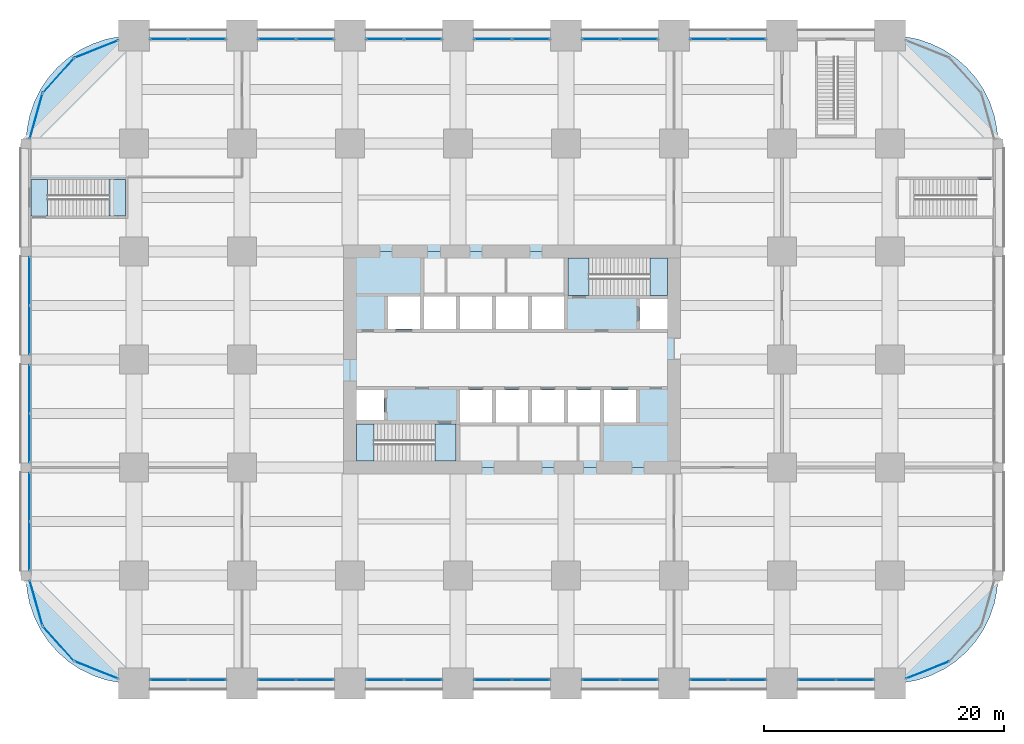
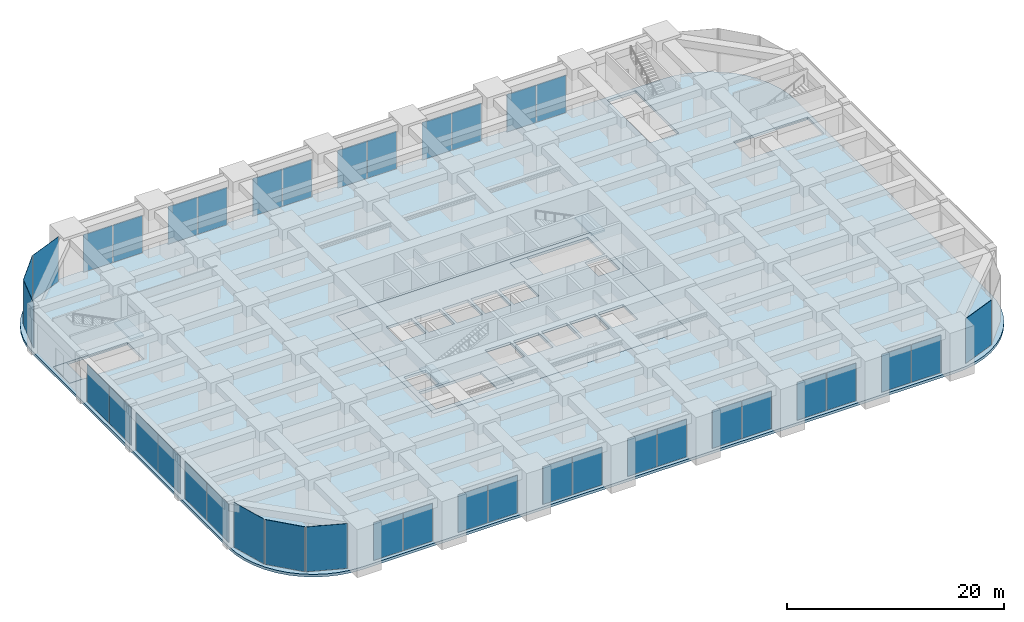
# One storey, part 40 of 45: 39 plates, 8 slabs, 26 elements without a shape of their own.
"""IFC4 building model written with IfcOpenShell, lengths in metres."""

from ifc_helpers import new_model, si_unit, direction, frame, origin, origin_2d, place, context, subcontext, project, spatial, polyline, rectangle, outline, extrude, material, layer, layer_set, type_object, element, aggregate, save


model = new_model("IFC4")

# Units and contexts
model_context = context("Model", 3, precision=1e-05, world=origin(), true_north=direction((0.0, 1.0)))
body_context = subcontext(model_context, "Body", "Model", "MODEL_VIEW")
ifc_project = project(units=[si_unit("LENGTHUNIT", "METRE"), si_unit("AREAUNIT", "SQUARE_METRE"), si_unit("VOLUMEUNIT", "CUBIC_METRE"), si_unit("PLANEANGLEUNIT", "RADIAN"), si_unit("MASSUNIT", "GRAM", prefix="KILO")], contexts=[model_context])

# Site, building, storey
site_placement = place(None, origin())
site = spatial("IfcSite", under=ifc_project, at=site_placement, CompositionType="ELEMENT")
building_placement = place(site_placement, origin())
building = spatial("IfcBuilding", under=site, at=building_placement, Name="Zorevar Civic Tower", CompositionType="ELEMENT")
storey_placement = place(building_placement, frame((0.0, 0.0, 5.39990234375)))
storey = spatial("IfcBuildingStorey", under=building, at=storey_placement, Name="L01", CompositionType="ELEMENT", Elevation=5.39990234375)

# Curtain wall, plates
ifc_material_1 = material(Name="Dark grey solar-control glass in black aluminium frame", Category="aluminium")
curtain_wall_type = type_object("IfcCurtainWallType", Name="Curtain wall CW1 podium", PredefinedType="NOTDEFINED", material=ifc_material_1)
curtain_wall_1_placement = place(storey_placement, origin())
curtain_wall_1 = element("IfcCurtainWall", 1, at=curtain_wall_1_placement, inside=storey, type_object=curtain_wall_type, Name="CW1 L01", PredefinedType="NOTDEFINED")
ifc_material_2 = material(Name="Dark grey solar-control glass", Category="glass")
ifc_layer_1 = layer(ifc_material_2, 0.033935546875)
ifc_layer_set_1 = layer_set([ifc_layer_1], Name="CW1 panel 34")
plate_type = type_object("IfcPlateType", Name="CW1 panel 34", PredefinedType="CURTAIN_PANEL", material=ifc_layer_set_1)
plate_1_placement = place(storey_placement, frame((2.9150390625, 0.300048828125, 0.06005859375), z_axis=(0.0, 0.0, 1.0), x_axis=(1.0, 0.0, 0.0)))
plate_1 = element("IfcPlate", 2, at=plate_1_placement, type_object=plate_type, Name="CW1 panel 1.1", PredefinedType="CURTAIN_PANEL", context=body_context, shape_type="SweptSolid", body=[
    extrude(rectangle(XDim=3.110107421875, YDim=0.033935546875, at=origin_2d()), origin(), (0.0, 0.0, 1.0), 4.239990234375),
])
plate_2_placement = place(storey_placement, frame((6.0849609375, 0.300048828125, 0.06005859375), z_axis=(0.0, 0.0, 1.0), x_axis=(1.0, 0.0, 0.0)))
plate_2 = element("IfcPlate", 3, at=plate_2_placement, type_object=plate_type, Name="CW1 panel 2.1", PredefinedType="CURTAIN_PANEL", context=body_context, shape_type="SweptSolid", body=[
    extrude(rectangle(XDim=3.110107421875, YDim=0.033935546875, at=origin_2d()), origin(), (0.0, 0.0, 1.0), 4.239990234375),
])
aggregate(curtain_wall_1, [plate_1, plate_2])

curtain_wall_2_placement = place(storey_placement, origin())
curtain_wall_2 = element("IfcCurtainWall", 4, at=curtain_wall_2_placement, inside=storey, type_object=curtain_wall_type, Name="CW1 L01", PredefinedType="NOTDEFINED")
plate_3_placement = place(storey_placement, frame((2.9150390625, 53.699951171875, 0.06005859375), z_axis=(0.0, 0.0, 1.0), x_axis=(1.0, 0.0, 0.0)))
plate_3 = element("IfcPlate", 5, at=plate_3_placement, type_object=plate_type, Name="CW1 panel 1.1", PredefinedType="CURTAIN_PANEL", context=body_context, shape_type="SweptSolid", body=[
    extrude(rectangle(XDim=3.110107421875, YDim=0.033935546875, at=origin_2d()), origin(), (0.0, 0.0, 1.0), 4.239990234375),
])
plate_4_placement = place(storey_placement, frame((6.0849609375, 53.699951171875, 0.06005859375), z_axis=(0.0, 0.0, 1.0), x_axis=(1.0, 0.0, 0.0)))
plate_4 = element("IfcPlate", 6, at=plate_4_placement, type_object=plate_type, Name="CW1 panel 2.1", PredefinedType="CURTAIN_PANEL", context=body_context, shape_type="SweptSolid", body=[
    extrude(rectangle(XDim=3.110107421875, YDim=0.033935546875, at=origin_2d()), origin(), (0.0, 0.0, 1.0), 4.239990234375),
])
aggregate(curtain_wall_2, [plate_3, plate_4])

curtain_wall_3_placement = place(storey_placement, origin())
curtain_wall_3 = element("IfcCurtainWall", 7, at=curtain_wall_3_placement, inside=storey, type_object=curtain_wall_type, Name="CW1 L01", PredefinedType="NOTDEFINED")
plate_5_placement = place(storey_placement, frame((11.9150390625, 0.300048828125, 0.06005859375), z_axis=(0.0, 0.0, 1.0), x_axis=(1.0, 0.0, 0.0)))
plate_5 = element("IfcPlate", 8, at=plate_5_placement, type_object=plate_type, Name="CW1 panel 1.1", PredefinedType="CURTAIN_PANEL", context=body_context, shape_type="SweptSolid", body=[
    extrude(rectangle(XDim=3.110107421875, YDim=0.033935546875, at=origin_2d()), origin(), (0.0, 0.0, 1.0), 4.239990234375),
])
plate_6_placement = place(storey_placement, frame((15.0849609375, 0.300048828125, 0.06005859375), z_axis=(0.0, 0.0, 1.0), x_axis=(1.0, 0.0, 0.0)))
plate_6 = element("IfcPlate", 9, at=plate_6_placement, type_object=plate_type, Name="CW1 panel 2.1", PredefinedType="CURTAIN_PANEL", context=body_context, shape_type="SweptSolid", body=[
    extrude(rectangle(XDim=3.110107421875, YDim=0.033935546875, at=origin_2d()), origin(), (0.0, 0.0, 1.0), 4.239990234375),
])
aggregate(curtain_wall_3, [plate_5, plate_6])

curtain_wall_4_placement = place(storey_placement, origin())
curtain_wall_4 = element("IfcCurtainWall", 10, at=curtain_wall_4_placement, inside=storey, type_object=curtain_wall_type, Name="CW1 L01", PredefinedType="NOTDEFINED")
plate_7_placement = place(storey_placement, frame((11.9150390625, 53.699951171875, 0.06005859375), z_axis=(0.0, 0.0, 1.0), x_axis=(1.0, 0.0, 0.0)))
plate_7 = element("IfcPlate", 11, at=plate_7_placement, type_object=plate_type, Name="CW1 panel 1.1", PredefinedType="CURTAIN_PANEL", context=body_context, shape_type="SweptSolid", body=[
    extrude(rectangle(XDim=3.110107421875, YDim=0.033935546875, at=origin_2d()), origin(), (0.0, 0.0, 1.0), 4.239990234375),
])
plate_8_placement = place(storey_placement, frame((15.0849609375, 53.699951171875, 0.06005859375), z_axis=(0.0, 0.0, 1.0), x_axis=(1.0, 0.0, 0.0)))
plate_8 = element("IfcPlate", 12, at=plate_8_placement, type_object=plate_type, Name="CW1 panel 2.1", PredefinedType="CURTAIN_PANEL", context=body_context, shape_type="SweptSolid", body=[
    extrude(rectangle(XDim=3.110107421875, YDim=0.033935546875, at=origin_2d()), origin(), (0.0, 0.0, 1.0), 4.239990234375),
])
aggregate(curtain_wall_4, [plate_7, plate_8])

curtain_wall_5_placement = place(storey_placement, origin())
curtain_wall_5 = element("IfcCurtainWall", 13, at=curtain_wall_5_placement, inside=storey, type_object=curtain_wall_type, Name="CW1 L01", PredefinedType="NOTDEFINED")
plate_9_placement = place(storey_placement, frame((20.9150390625, 0.300048828125, 0.06005859375), z_axis=(0.0, 0.0, 1.0), x_axis=(1.0, 0.0, 0.0)))
plate_9 = element("IfcPlate", 14, at=plate_9_placement, type_object=plate_type, Name="CW1 panel 1.1", PredefinedType="CURTAIN_PANEL", context=body_context, shape_type="SweptSolid", body=[
    extrude(rectangle(XDim=3.110107421875, YDim=0.033935546875, at=origin_2d()), origin(), (0.0, 0.0, 1.0), 4.239990234375),
])
plate_10_placement = place(storey_placement, frame((24.0849609375, 0.300048828125, 0.06005859375), z_axis=(0.0, 0.0, 1.0), x_axis=(1.0, 0.0, 0.0)))
plate_10 = element("IfcPlate", 15, at=plate_10_placement, type_object=plate_type, Name="CW1 panel 2.1", PredefinedType="CURTAIN_PANEL", context=body_context, shape_type="SweptSolid", body=[
    extrude(rectangle(XDim=3.110107421875, YDim=0.033935546875, at=origin_2d()), origin(), (0.0, 0.0, 1.0), 4.239990234375),
])
aggregate(curtain_wall_5, [plate_9, plate_10])

curtain_wall_6_placement = place(storey_placement, origin())
curtain_wall_6 = element("IfcCurtainWall", 16, at=curtain_wall_6_placement, inside=storey, type_object=curtain_wall_type, Name="CW1 L01", PredefinedType="NOTDEFINED")
plate_11_placement = place(storey_placement, frame((20.9150390625, 53.699951171875, 0.06005859375), z_axis=(0.0, 0.0, 1.0), x_axis=(1.0, 0.0, 0.0)))
plate_11 = element("IfcPlate", 17, at=plate_11_placement, type_object=plate_type, Name="CW1 panel 1.1", PredefinedType="CURTAIN_PANEL", context=body_context, shape_type="SweptSolid", body=[
    extrude(rectangle(XDim=3.110107421875, YDim=0.033935546875, at=origin_2d()), origin(), (0.0, 0.0, 1.0), 4.239990234375),
])
plate_12_placement = place(storey_placement, frame((24.0849609375, 53.699951171875, 0.06005859375), z_axis=(0.0, 0.0, 1.0), x_axis=(1.0, 0.0, 0.0)))
plate_12 = element("IfcPlate", 18, at=plate_12_placement, type_object=plate_type, Name="CW1 panel 2.1", PredefinedType="CURTAIN_PANEL", context=body_context, shape_type="SweptSolid", body=[
    extrude(rectangle(XDim=3.110107421875, YDim=0.033935546875, at=origin_2d()), origin(), (0.0, 0.0, 1.0), 4.239990234375),
])
aggregate(curtain_wall_6, [plate_11, plate_12])

curtain_wall_7_placement = place(storey_placement, origin())
curtain_wall_7 = element("IfcCurtainWall", 19, at=curtain_wall_7_placement, inside=storey, type_object=curtain_wall_type, Name="CW1 L01", PredefinedType="NOTDEFINED")
plate_13_placement = place(storey_placement, frame((29.9150390625, 0.300048828125, 0.06005859375), z_axis=(0.0, 0.0, 1.0), x_axis=(1.0, 0.0, 0.0)))
plate_13 = element("IfcPlate", 20, at=plate_13_placement, type_object=plate_type, Name="CW1 panel 1.1", PredefinedType="CURTAIN_PANEL", context=body_context, shape_type="SweptSolid", body=[
    extrude(rectangle(XDim=3.110107421875, YDim=0.033935546875, at=origin_2d()), origin(), (0.0, 0.0, 1.0), 4.239990234375),
])
plate_14_placement = place(storey_placement, frame((33.0849609375, 0.300048828125, 0.06005859375), z_axis=(0.0, 0.0, 1.0), x_axis=(1.0, 0.0, 0.0)))
plate_14 = element("IfcPlate", 21, at=plate_14_placement, type_object=plate_type, Name="CW1 panel 2.1", PredefinedType="CURTAIN_PANEL", context=body_context, shape_type="SweptSolid", body=[
    extrude(rectangle(XDim=3.110107421875, YDim=0.033935546875, at=origin_2d()), origin(), (0.0, 0.0, 1.0), 4.239990234375),
])
aggregate(curtain_wall_7, [plate_13, plate_14])

curtain_wall_8_placement = place(storey_placement, origin())
curtain_wall_8 = element("IfcCurtainWall", 22, at=curtain_wall_8_placement, inside=storey, type_object=curtain_wall_type, Name="CW1 L01", PredefinedType="NOTDEFINED")
plate_15_placement = place(storey_placement, frame((29.9150390625, 53.699951171875, 0.06005859375), z_axis=(0.0, 0.0, 1.0), x_axis=(1.0, 0.0, 0.0)))
plate_15 = element("IfcPlate", 23, at=plate_15_placement, type_object=plate_type, Name="CW1 panel 1.1", PredefinedType="CURTAIN_PANEL", context=body_context, shape_type="SweptSolid", body=[
    extrude(rectangle(XDim=3.110107421875, YDim=0.033935546875, at=origin_2d()), origin(), (0.0, 0.0, 1.0), 4.239990234375),
])
plate_16_placement = place(storey_placement, frame((33.0849609375, 53.699951171875, 0.06005859375), z_axis=(0.0, 0.0, 1.0), x_axis=(1.0, 0.0, 0.0)))
plate_16 = element("IfcPlate", 24, at=plate_16_placement, type_object=plate_type, Name="CW1 panel 2.1", PredefinedType="CURTAIN_PANEL", context=body_context, shape_type="SweptSolid", body=[
    extrude(rectangle(XDim=3.110107421875, YDim=0.033935546875, at=origin_2d()), origin(), (0.0, 0.0, 1.0), 4.239990234375),
])
aggregate(curtain_wall_8, [plate_15, plate_16])

curtain_wall_9_placement = place(storey_placement, origin())
curtain_wall_9 = element("IfcCurtainWall", 25, at=curtain_wall_9_placement, inside=storey, type_object=curtain_wall_type, Name="CW1 L01", PredefinedType="NOTDEFINED")
plate_17_placement = place(storey_placement, frame((38.9150390625, 0.300048828125, 0.06005859375), z_axis=(0.0, 0.0, 1.0), x_axis=(1.0, 0.0, 0.0)))
plate_17 = element("IfcPlate", 26, at=plate_17_placement, type_object=plate_type, Name="CW1 panel 1.1", PredefinedType="CURTAIN_PANEL", context=body_context, shape_type="SweptSolid", body=[
    extrude(rectangle(XDim=3.110107421875, YDim=0.033935546875, at=origin_2d()), origin(), (0.0, 0.0, 1.0), 4.239990234375),
])
plate_18_placement = place(storey_placement, frame((42.0849609375, 0.300048828125, 0.06005859375), z_axis=(0.0, 0.0, 1.0), x_axis=(1.0, 0.0, 0.0)))
plate_18 = element("IfcPlate", 27, at=plate_18_placement, type_object=plate_type, Name="CW1 panel 2.1", PredefinedType="CURTAIN_PANEL", context=body_context, shape_type="SweptSolid", body=[
    extrude(rectangle(XDim=3.110107421875, YDim=0.033935546875, at=origin_2d()), origin(), (0.0, 0.0, 1.0), 4.239990234375),
])
aggregate(curtain_wall_9, [plate_17, plate_18])

curtain_wall_10_placement = place(storey_placement, origin())
curtain_wall_10 = element("IfcCurtainWall", 28, at=curtain_wall_10_placement, inside=storey, type_object=curtain_wall_type, Name="CW1 L01", PredefinedType="NOTDEFINED")
plate_19_placement = place(storey_placement, frame((38.9150390625, 53.699951171875, 0.06005859375), z_axis=(0.0, 0.0, 1.0), x_axis=(1.0, 0.0, 0.0)))
plate_19 = element("IfcPlate", 29, at=plate_19_placement, type_object=plate_type, Name="CW1 panel 1.1", PredefinedType="CURTAIN_PANEL", context=body_context, shape_type="SweptSolid", body=[
    extrude(rectangle(XDim=3.110107421875, YDim=0.033935546875, at=origin_2d()), origin(), (0.0, 0.0, 1.0), 4.239990234375),
])
plate_20_placement = place(storey_placement, frame((42.0849609375, 53.699951171875, 0.06005859375), z_axis=(0.0, 0.0, 1.0), x_axis=(1.0, 0.0, 0.0)))
plate_20 = element("IfcPlate", 30, at=plate_20_placement, type_object=plate_type, Name="CW1 panel 2.1", PredefinedType="CURTAIN_PANEL", context=body_context, shape_type="SweptSolid", body=[
    extrude(rectangle(XDim=3.110107421875, YDim=0.033935546875, at=origin_2d()), origin(), (0.0, 0.0, 1.0), 4.239990234375),
])
aggregate(curtain_wall_10, [plate_19, plate_20])

curtain_wall_11_placement = place(storey_placement, origin())
curtain_wall_11 = element("IfcCurtainWall", 31, at=curtain_wall_11_placement, inside=storey, type_object=curtain_wall_type, Name="CW1 L01", PredefinedType="NOTDEFINED")
plate_21_placement = place(storey_placement, frame((47.9150390625, 0.300048828125, 0.06005859375), z_axis=(0.0, 0.0, 1.0), x_axis=(1.0, 0.0, 0.0)))
plate_21 = element("IfcPlate", 32, at=plate_21_placement, type_object=plate_type, Name="CW1 panel 1.1", PredefinedType="CURTAIN_PANEL", context=body_context, shape_type="SweptSolid", body=[
    extrude(rectangle(XDim=3.110107421875, YDim=0.033935546875, at=origin_2d()), origin(), (0.0, 0.0, 1.0), 4.239990234375),
])
plate_22_placement = place(storey_placement, frame((51.0849609375, 0.300048828125, 0.06005859375), z_axis=(0.0, 0.0, 1.0), x_axis=(1.0, 0.0, 0.0)))
plate_22 = element("IfcPlate", 33, at=plate_22_placement, type_object=plate_type, Name="CW1 panel 2.1", PredefinedType="CURTAIN_PANEL", context=body_context, shape_type="SweptSolid", body=[
    extrude(rectangle(XDim=3.110107421875, YDim=0.033935546875, at=origin_2d()), origin(), (0.0, 0.0, 1.0), 4.239990234375),
])
aggregate(curtain_wall_11, [plate_21, plate_22])

curtain_wall_12_placement = place(storey_placement, origin())
curtain_wall_12 = element("IfcCurtainWall", 34, at=curtain_wall_12_placement, inside=storey, type_object=curtain_wall_type, Name="CW1 L01", PredefinedType="NOTDEFINED")
plate_23_placement = place(storey_placement, frame((47.9150390625, 53.699951171875, 0.06005859375), z_axis=(0.0, 0.0, 1.0), x_axis=(1.0, 0.0, 0.0)))
plate_23 = element("IfcPlate", 35, at=plate_23_placement, type_object=plate_type, Name="CW1 panel 1.1", PredefinedType="CURTAIN_PANEL", context=body_context, shape_type="SweptSolid", body=[
    extrude(rectangle(XDim=3.110107421875, YDim=0.033935546875, at=origin_2d()), origin(), (0.0, 0.0, 1.0), 4.239990234375),
])
plate_24_placement = place(storey_placement, frame((51.0849609375, 53.699951171875, 0.06005859375), z_axis=(0.0, 0.0, 1.0), x_axis=(1.0, 0.0, 0.0)))
plate_24 = element("IfcPlate", 36, at=plate_24_placement, type_object=plate_type, Name="CW1 panel 2.1", PredefinedType="CURTAIN_PANEL", context=body_context, shape_type="SweptSolid", body=[
    extrude(rectangle(XDim=3.110107421875, YDim=0.033935546875, at=origin_2d()), origin(), (0.0, 0.0, 1.0), 4.239990234375),
])
aggregate(curtain_wall_12, [plate_23, plate_24])

curtain_wall_13_placement = place(storey_placement, origin())
curtain_wall_13 = element("IfcCurtainWall", 37, at=curtain_wall_13_placement, inside=storey, type_object=curtain_wall_type, Name="CW1 L01", PredefinedType="NOTDEFINED")
plate_25_placement = place(storey_placement, frame((56.9150390625, 0.300048828125, 0.06005859375), z_axis=(0.0, 0.0, 1.0), x_axis=(1.0, 0.0, 0.0)))
plate_25 = element("IfcPlate", 38, at=plate_25_placement, type_object=plate_type, Name="CW1 panel 1.1", PredefinedType="CURTAIN_PANEL", context=body_context, shape_type="SweptSolid", body=[
    extrude(rectangle(XDim=3.110107421875, YDim=0.033935546875, at=origin_2d()), origin(), (0.0, 0.0, 1.0), 4.239990234375),
])
plate_26_placement = place(storey_placement, frame((60.0849609375, 0.300048828125, 0.06005859375), z_axis=(0.0, 0.0, 1.0), x_axis=(1.0, 0.0, 0.0)))
plate_26 = element("IfcPlate", 39, at=plate_26_placement, type_object=plate_type, Name="CW1 panel 2.1", PredefinedType="CURTAIN_PANEL", context=body_context, shape_type="SweptSolid", body=[
    extrude(rectangle(XDim=3.110107421875, YDim=0.033935546875, at=origin_2d()), origin(), (0.0, 0.0, 1.0), 4.239990234375),
])
aggregate(curtain_wall_13, [plate_25, plate_26])

curtain_wall_14_placement = place(storey_placement, origin())
curtain_wall_14 = element("IfcCurtainWall", 40, at=curtain_wall_14_placement, inside=storey, type_object=curtain_wall_type, Name="CW1 L01", PredefinedType="NOTDEFINED")
plate_27_placement = place(storey_placement, frame((-8.699951171875, 11.465087890625, 0.06005859375), z_axis=(0.0, 0.0, 1.0), x_axis=(0.0, 1.0, 0.0)))
plate_27 = element("IfcPlate", 41, at=plate_27_placement, type_object=plate_type, Name="CW1 panel 1.1", PredefinedType="CURTAIN_PANEL", context=body_context, shape_type="SweptSolid", body=[
    extrude(rectangle(XDim=4.010009765625, YDim=0.033935546875, at=origin_2d()), origin(), (0.0, 0.0, 1.0), 4.239990234375),
])
plate_28_placement = place(storey_placement, frame((-8.699951171875, 15.534912109375, 0.06005859375), z_axis=(0.0, 0.0, 1.0), x_axis=(0.0, 1.0, 0.0)))
plate_28 = element("IfcPlate", 42, at=plate_28_placement, type_object=plate_type, Name="CW1 panel 2.1", PredefinedType="CURTAIN_PANEL", context=body_context, shape_type="SweptSolid", body=[
    extrude(rectangle(XDim=4.010009765625, YDim=0.033935546875, at=origin_2d()), origin(), (0.0, 0.0, 1.0), 4.239990234375),
])
aggregate(curtain_wall_14, [plate_27, plate_28])

curtain_wall_15_placement = place(storey_placement, origin())
curtain_wall_15 = element("IfcCurtainWall", 43, at=curtain_wall_15_placement, inside=storey, type_object=curtain_wall_type, Name="CW1 L01", PredefinedType="NOTDEFINED")
plate_29_placement = place(storey_placement, frame((-8.699951171875, 20.465087890625, 0.06005859375), z_axis=(0.0, 0.0, 1.0), x_axis=(0.0, 1.0, 0.0)))
plate_29 = element("IfcPlate", 44, at=plate_29_placement, type_object=plate_type, Name="CW1 panel 1.1", PredefinedType="CURTAIN_PANEL", context=body_context, shape_type="SweptSolid", body=[
    extrude(rectangle(XDim=4.010009765625, YDim=0.033935546875, at=origin_2d()), origin(), (0.0, 0.0, 1.0), 4.239990234375),
])
plate_30_placement = place(storey_placement, frame((-8.699951171875, 24.534912109375, 0.06005859375), z_axis=(0.0, 0.0, 1.0), x_axis=(0.0, 1.0, 0.0)))
plate_30 = element("IfcPlate", 45, at=plate_30_placement, type_object=plate_type, Name="CW1 panel 2.1", PredefinedType="CURTAIN_PANEL", context=body_context, shape_type="SweptSolid", body=[
    extrude(rectangle(XDim=4.010009765625, YDim=0.033935546875, at=origin_2d()), origin(), (0.0, 0.0, 1.0), 4.239990234375),
])
aggregate(curtain_wall_15, [plate_29, plate_30])

curtain_wall_16_placement = place(storey_placement, origin())
curtain_wall_16 = element("IfcCurtainWall", 46, at=curtain_wall_16_placement, inside=storey, type_object=curtain_wall_type, Name="CW1 L01", PredefinedType="NOTDEFINED")
plate_31_placement = place(storey_placement, frame((-8.699951171875, 29.465087890625, 0.06005859375), z_axis=(0.0, 0.0, 1.0), x_axis=(0.0, 1.0, 0.0)))
plate_31 = element("IfcPlate", 47, at=plate_31_placement, type_object=plate_type, Name="CW1 panel 1.1", PredefinedType="CURTAIN_PANEL", context=body_context, shape_type="SweptSolid", body=[
    extrude(rectangle(XDim=4.010009765625, YDim=0.033935546875, at=origin_2d()), origin(), (0.0, 0.0, 1.0), 4.239990234375),
])
plate_32_placement = place(storey_placement, frame((-8.699951171875, 33.534912109375, 0.06005859375), z_axis=(0.0, 0.0, 1.0), x_axis=(0.0, 1.0, 0.0)))
plate_32 = element("IfcPlate", 48, at=plate_32_placement, type_object=plate_type, Name="CW1 panel 2.1", PredefinedType="CURTAIN_PANEL", context=body_context, shape_type="SweptSolid", body=[
    extrude(rectangle(XDim=4.010009765625, YDim=0.033935546875, at=origin_2d()), origin(), (0.0, 0.0, 1.0), 4.239990234375),
])
aggregate(curtain_wall_16, [plate_31, plate_32])

# Curtain wall, plate
curtain_wall_17_placement = place(storey_placement, origin())
curtain_wall_17 = element("IfcCurtainWall", 49, at=curtain_wall_17_placement, inside=storey, type_object=curtain_wall_type, Name="CW1 L01", PredefinedType="NOTDEFINED")
plate_33_placement = place(storey_placement, frame((66.1357421875, 1.129150390625, 0.06005859375), z_axis=(0.0, 0.0, 1.0), x_axis=(0.928987553289, 0.370110964218, 0.0)))
plate_33 = element("IfcPlate", 50, at=plate_33_placement, type_object=plate_type, Name="CW1 panel 1.1", PredefinedType="CURTAIN_PANEL", context=body_context, shape_type="SweptSolid", body=[
    extrude(rectangle(XDim=3.83203125, YDim=0.033935546875, at=origin_2d()), origin(), (0.0, 0.0, 1.0), 5.0400390625),
])
aggregate(curtain_wall_17, [plate_33])

curtain_wall_18_placement = place(storey_placement, origin())
curtain_wall_18 = element("IfcCurtainWall", 51, at=curtain_wall_18_placement, inside=storey, type_object=curtain_wall_type, Name="CW1 L01", PredefinedType="NOTDEFINED")
plate_34_placement = place(storey_placement, frame((-3.1357421875, 52.870849609375, 0.06005859375), z_axis=(0.0, 0.0, 1.0), x_axis=(-0.928987553289, -0.370110964218, 0.0)))
plate_34 = element("IfcPlate", 52, at=plate_34_placement, type_object=plate_type, Name="CW1 panel 1.1", PredefinedType="CURTAIN_PANEL", context=body_context, shape_type="SweptSolid", body=[
    extrude(rectangle(XDim=3.83203125, YDim=0.033935546875, at=origin_2d()), origin(), (0.0, 0.0, 1.0), 5.0400390625),
])
aggregate(curtain_wall_18, [plate_34])

curtain_wall_19_placement = place(storey_placement, origin())
curtain_wall_19 = element("IfcCurtainWall", 53, at=curtain_wall_19_placement, inside=storey, type_object=curtain_wall_type, Name="CW1 L01", PredefinedType="NOTDEFINED")
plate_35_placement = place(storey_placement, frame((-6.294189453125, 50.671630859375, 0.06005859375), z_axis=(0.0, 0.0, 1.0), x_axis=(-0.669402758568, -0.742899688263, 0.0)))
plate_35 = element("IfcPlate", 54, at=plate_35_placement, type_object=plate_type, Name="CW1 panel 1.1", PredefinedType="CURTAIN_PANEL", context=body_context, shape_type="SweptSolid", body=[
    extrude(rectangle(XDim=3.83203125, YDim=0.033935546875, at=origin_2d()), origin(), (0.0, 0.0, 1.0), 5.0400390625),
])
aggregate(curtain_wall_19, [plate_35])

curtain_wall_20_placement = place(storey_placement, origin())
curtain_wall_20 = element("IfcCurtainWall", 55, at=curtain_wall_20_placement, inside=storey, type_object=curtain_wall_type, Name="CW1 L01", PredefinedType="NOTDEFINED")
plate_36_placement = place(storey_placement, frame((-8.15380859375, 47.3017578125, 0.06005859375), z_axis=(0.0, 0.0, 1.0), x_axis=(-0.271669082929, -0.962390725943, 0.0)))
plate_36 = element("IfcPlate", 56, at=plate_36_placement, type_object=plate_type, Name="CW1 panel 1.1", PredefinedType="CURTAIN_PANEL", context=body_context, shape_type="SweptSolid", body=[
    extrude(rectangle(XDim=3.83203125, YDim=0.033935546875, at=origin_2d()), origin(), (0.0, 0.0, 1.0), 5.0400390625),
])
aggregate(curtain_wall_20, [plate_36])

curtain_wall_21_placement = place(storey_placement, origin())
curtain_wall_21 = element("IfcCurtainWall", 57, at=curtain_wall_21_placement, inside=storey, type_object=curtain_wall_type, Name="CW1 L01", PredefinedType="NOTDEFINED")
plate_37_placement = place(storey_placement, frame((-8.15380859375, 6.6982421875, 0.06005859375), z_axis=(0.0, 0.0, 1.0), x_axis=(0.271669082929, -0.962390725943, 0.0)))
plate_37 = element("IfcPlate", 58, at=plate_37_placement, type_object=plate_type, Name="CW1 panel 1.1", PredefinedType="CURTAIN_PANEL", context=body_context, shape_type="SweptSolid", body=[
    extrude(rectangle(XDim=3.83203125, YDim=0.033935546875, at=origin_2d()), origin(), (0.0, 0.0, 1.0), 5.0400390625),
])
aggregate(curtain_wall_21, [plate_37])

curtain_wall_22_placement = place(storey_placement, origin())
curtain_wall_22 = element("IfcCurtainWall", 59, at=curtain_wall_22_placement, inside=storey, type_object=curtain_wall_type, Name="CW1 L01", PredefinedType="NOTDEFINED")
plate_38_placement = place(storey_placement, frame((-6.294189453125, 3.328369140625, 0.06005859375), z_axis=(0.0, 0.0, 1.0), x_axis=(0.669402758568, -0.742899688263, 0.0)))
plate_38 = element("IfcPlate", 60, at=plate_38_placement, type_object=plate_type, Name="CW1 panel 1.1", PredefinedType="CURTAIN_PANEL", context=body_context, shape_type="SweptSolid", body=[
    extrude(rectangle(XDim=3.83203125, YDim=0.033935546875, at=origin_2d()), origin(), (0.0, 0.0, 1.0), 5.0400390625),
])
aggregate(curtain_wall_22, [plate_38])

curtain_wall_23_placement = place(storey_placement, origin())
curtain_wall_23 = element("IfcCurtainWall", 61, at=curtain_wall_23_placement, inside=storey, type_object=curtain_wall_type, Name="CW1 L01", PredefinedType="NOTDEFINED")
plate_39_placement = place(storey_placement, frame((-3.1357421875, 1.129150390625, 0.06005859375), z_axis=(0.0, 0.0, 1.0), x_axis=(0.928987553289, -0.370110964218, 0.0)))
plate_39 = element("IfcPlate", 62, at=plate_39_placement, type_object=plate_type, Name="CW1 panel 1.1", PredefinedType="CURTAIN_PANEL", context=body_context, shape_type="SweptSolid", body=[
    extrude(rectangle(XDim=3.83203125, YDim=0.033935546875, at=origin_2d()), origin(), (0.0, 0.0, 1.0), 5.0400390625),
])
aggregate(curtain_wall_23, [plate_39])

# Slabs
ifc_material_3 = material(Name="Concrete C40/50", Category="concrete")
ifc_layer_2 = layer(ifc_material_3, 0.300048828125)
ifc_layer_set_2 = layer_set([ifc_layer_2], Name="Floor slab 300")
slab_type_1 = type_object("IfcSlabType", Name="Floor slab 300", PredefinedType="FLOOR", material=ifc_layer_set_2)
slab_1_placement = place(storey_placement, frame((0.0, 0.0, -0.2998046875)))
element("IfcSlab", 63, at=slab_1_placement, inside=storey, type_object=slab_type_1, Name="Floor slab L01", PredefinedType="FLOOR", context=body_context, shape_type="SweptSolid", body=[
    extrude(outline(polyline([(63.0, 0.0), (64.1748046875, 0.076904296875), (65.329345703125, 0.306640625), (66.444091796875, 0.68505859375), (67.5, 1.205810546875), (68.478759765625, 1.85986328125), (69.364013671875, 2.635986328125), (70.14013671875, 3.521240234375), (70.794189453125, 4.5), (71.31494140625, 5.555908203125), (71.693359375, 6.670654296875), (71.923095703125, 7.8251953125), (72.0, 9.0), (72.0, 45.0), (71.923095703125, 46.1748046875), (71.693359375, 47.329345703125), (71.31494140625, 48.444091796875), (70.794189453125, 49.5), (70.14013671875, 50.478759765625), (69.364013671875, 51.364013671875), (68.478759765625, 52.14013671875), (67.5, 52.794189453125), (66.444091796875, 53.31494140625), (65.329345703125, 53.693359375), (64.1748046875, 53.923095703125), (63.0, 54.0), (0.0, 54.0), (-1.1748046875, 53.923095703125), (-2.329345703125, 53.693359375), (-3.444091796875, 53.31494140625), (-4.5, 52.794189453125), (-5.478759765625, 52.14013671875), (-6.364013671875, 51.364013671875), (-7.14013671875, 50.478759765625), (-7.794189453125, 49.5), (-8.31494140625, 48.444091796875), (-8.693359375, 47.329345703125), (-8.923095703125, 46.1748046875), (-9.0, 45.0), (-9.0, 9.0), (-8.923095703125, 7.8251953125), (-8.693359375, 6.670654296875), (-8.31494140625, 5.555908203125), (-7.794189453125, 4.5), (-7.14013671875, 3.521240234375), (-6.364013671875, 2.635986328125), (-5.478759765625, 1.85986328125), (-4.5, 1.205810546875), (-3.444091796875, 0.68505859375), (-2.329345703125, 0.306640625), (-1.1748046875, 0.076904296875), (0.0, 0.0), (63.0, 0.0)]), holes=[polyline([(18.0, 18.0), (45.0, 18.0), (45.0, 36.0), (18.0, 36.0), (18.0, 18.0)]), polyline([(-8.60009765625, 38.97509765625), (-0.699951171875, 38.97509765625), (-0.699951171875, 42.02490234375), (-8.60009765625, 42.02490234375), (-8.60009765625, 38.97509765625)]), polyline([(63.699951171875, 38.97509765625), (71.60009765625, 38.97509765625), (71.60009765625, 42.02490234375), (63.699951171875, 42.02490234375), (63.699951171875, 38.97509765625)]), polyline([(56.97509765625, 45.699951171875), (60.02490234375, 45.699951171875), (60.02490234375, 53.60009765625), (56.97509765625, 53.60009765625), (56.97509765625, 45.699951171875)])]), origin(), (0.0, 0.0, 1.0), 0.2998046875),
])
slab_2_placement = place(storey_placement, frame((0.0, 0.0, -0.2998046875)))
element("IfcSlab", 64, at=slab_2_placement, inside=storey, type_object=slab_type_1, Name="Core floor L01", PredefinedType="FLOOR", context=body_context, shape_type="SweptSolid", body=[
    extrude(outline(polyline([(18.0, 18.0), (45.0, 18.0), (45.0, 36.0), (18.0, 36.0), (18.0, 18.0)]), holes=[polyline([(18.550048828125, 18.550048828125), (26.85009765625, 18.550048828125), (26.85009765625, 21.64990234375), (18.550048828125, 21.64990234375), (18.550048828125, 18.550048828125)]), polyline([(36.14990234375, 32.35009765625), (44.449951171875, 32.35009765625), (44.449951171875, 35.449951171875), (36.14990234375, 35.449951171875), (36.14990234375, 32.35009765625)]), polyline([(18.550048828125, 21.949951171875), (20.85009765625, 21.949951171875), (20.85009765625, 24.449951171875), (18.550048828125, 24.449951171875), (18.550048828125, 21.949951171875)]), polyline([(42.14990234375, 29.550048828125), (44.449951171875, 29.550048828125), (44.449951171875, 32.050048828125), (42.14990234375, 32.050048828125), (42.14990234375, 29.550048828125)]), polyline([(27.14990234375, 21.75), (29.85009765625, 21.75), (29.85009765625, 24.449951171875), (27.14990234375, 24.449951171875), (27.14990234375, 21.75)]), polyline([(33.14990234375, 29.550048828125), (35.85009765625, 29.550048828125), (35.85009765625, 32.25), (33.14990234375, 32.25), (33.14990234375, 29.550048828125)]), polyline([(30.14990234375, 21.75), (32.85009765625, 21.75), (32.85009765625, 24.449951171875), (30.14990234375, 24.449951171875), (30.14990234375, 21.75)]), polyline([(30.14990234375, 29.550048828125), (32.85009765625, 29.550048828125), (32.85009765625, 32.25), (30.14990234375, 32.25), (30.14990234375, 29.550048828125)]), polyline([(33.14990234375, 21.75), (35.85009765625, 21.75), (35.85009765625, 24.449951171875), (33.14990234375, 24.449951171875), (33.14990234375, 21.75)]), polyline([(27.14990234375, 29.550048828125), (29.85009765625, 29.550048828125), (29.85009765625, 32.25), (27.14990234375, 32.25), (27.14990234375, 29.550048828125)]), polyline([(36.14990234375, 21.75), (38.85009765625, 21.75), (38.85009765625, 24.449951171875), (36.14990234375, 24.449951171875), (36.14990234375, 21.75)]), polyline([(24.14990234375, 29.550048828125), (26.85009765625, 29.550048828125), (26.85009765625, 32.25), (24.14990234375, 32.25), (24.14990234375, 29.550048828125)]), polyline([(39.14990234375, 21.75), (41.85009765625, 21.75), (41.85009765625, 24.449951171875), (39.14990234375, 24.449951171875), (39.14990234375, 21.75)]), polyline([(21.14990234375, 29.550048828125), (23.85009765625, 29.550048828125), (23.85009765625, 32.25), (21.14990234375, 32.25), (21.14990234375, 29.550048828125)])]), origin(), (0.0, 0.0, 1.0), 0.2998046875),
])

# Stair, slabs
ifc_material_4 = material(Name="Precast concrete C40/50", Category="concrete")
stair_type_1 = type_object("IfcStairType", Name="Stair ST 36R", PredefinedType="HALF_TURN_STAIR", material=ifc_material_4)
stair_1_placement = place(storey_placement, origin())
stair_1 = element("IfcStair", 65, at=stair_1_placement, inside=storey, type_object=stair_type_1, Name="Stair ST1 L01", PredefinedType="HALF_TURN_STAIR")
ifc_material_5 = material(Name="Concrete C40/50", Category="concrete")
ifc_layer_3 = layer(ifc_material_5, 0.199951171875)
ifc_layer_set_3 = layer_set([ifc_layer_3], Name="Stair landing 200")
slab_type_2 = type_object("IfcSlabType", Name="Stair landing 200", PredefinedType="LANDING", material=ifc_layer_set_3)
slab_3_placement = place(storey_placement, frame((0.0, 0.0, -0.199951171875)))
slab_3 = element("IfcSlab", 66, at=slab_3_placement, type_object=slab_type_2, Name="ST1 landing 1", PredefinedType="LANDING", context=body_context, shape_type="SweptSolid", body=[
    extrude(outline(polyline([(25.080078125, 18.550048828125), (26.85009765625, 18.550048828125), (26.85009765625, 21.64990234375), (25.080078125, 21.64990234375), (25.080078125, 18.550048828125)])), origin(), (0.0, 0.0, 1.0), 0.199951171875),
])
slab_4_placement = place(storey_placement, frame((0.0, 0.0, 2.5)))
slab_4 = element("IfcSlab", 67, at=slab_4_placement, type_object=slab_type_2, Name="ST1 landing 2", PredefinedType="LANDING", context=body_context, shape_type="SweptSolid", body=[
    extrude(outline(polyline([(18.550048828125, 18.550048828125), (19.97998046875, 18.550048828125), (19.97998046875, 21.64990234375), (18.550048828125, 21.64990234375), (18.550048828125, 18.550048828125)])), origin(), (0.0, 0.0, 1.0), 0.2001953125),
])
aggregate(stair_1, [slab_3, slab_4])

stair_2_placement = place(storey_placement, origin())
stair_2 = element("IfcStair", 68, at=stair_2_placement, inside=storey, type_object=stair_type_1, Name="Stair ST2 L01", PredefinedType="HALF_TURN_STAIR")
slab_5_placement = place(storey_placement, frame((0.0, 0.0, -0.199951171875)))
slab_5 = element("IfcSlab", 69, at=slab_5_placement, type_object=slab_type_2, Name="ST2 landing 1", PredefinedType="LANDING", context=body_context, shape_type="SweptSolid", body=[
    extrude(outline(polyline([(37.919921875, 32.35009765625), (36.14990234375, 32.35009765625), (36.14990234375, 35.449951171875), (37.919921875, 35.449951171875), (37.919921875, 32.35009765625)])), origin(), (0.0, 0.0, 1.0), 0.199951171875),
])
slab_6_placement = place(storey_placement, frame((0.0, 0.0, 2.5)))
slab_6 = element("IfcSlab", 70, at=slab_6_placement, type_object=slab_type_2, Name="ST2 landing 2", PredefinedType="LANDING", context=body_context, shape_type="SweptSolid", body=[
    extrude(outline(polyline([(44.449951171875, 32.35009765625), (43.02001953125, 32.35009765625), (43.02001953125, 35.449951171875), (44.449951171875, 35.449951171875), (44.449951171875, 32.35009765625)])), origin(), (0.0, 0.0, 1.0), 0.2001953125),
])
aggregate(stair_2, [slab_5, slab_6])

# Stair, slab
ifc_material_6 = material(Name="Precast concrete C40/50", Category="concrete")
stair_type_2 = type_object("IfcStairType", Name="Escape stair PS 36R", PredefinedType="HALF_TURN_STAIR", material=ifc_material_6)
stair_3_placement = place(storey_placement, origin())
stair_3 = element("IfcStair", 71, at=stair_3_placement, inside=storey, type_object=stair_type_2, Name="Escape stair PS1 L01", PredefinedType="HALF_TURN_STAIR")
slab_7_placement = place(storey_placement, frame((0.0, 0.0, 2.5)))
slab_7 = element("IfcSlab", 72, at=slab_7_placement, type_object=slab_type_2, Name="PS1 landing 1", PredefinedType="LANDING", context=body_context, shape_type="SweptSolid", body=[
    extrude(outline(polyline([(-2.10009765625, 38.97509765625), (-0.699951171875, 38.97509765625), (-0.699951171875, 42.02490234375), (-2.10009765625, 42.02490234375), (-2.10009765625, 38.97509765625)])), origin(), (0.0, 0.0, 1.0), 0.2001953125),
])
aggregate(stair_3, [slab_7])

# Slab
ifc_material_7 = material(Name="Concrete C40/50", Category="concrete")
ifc_layer_4 = layer(ifc_material_7, 0.300048828125)
ifc_layer_set_4 = layer_set([ifc_layer_4], Name="Stair landing 300")
slab_type_3 = type_object("IfcSlabType", Name="Stair landing 300", PredefinedType="LANDING", material=ifc_layer_set_4)
slab_8_placement = place(storey_placement, frame((0.0, 0.0, -0.2998046875)))
element("IfcSlab", 73, at=slab_8_placement, inside=storey, type_object=slab_type_3, Name="Stair PS1 floor landing L01", PredefinedType="LANDING", context=body_context, shape_type="SweptSolid", body=[
    extrude(outline(polyline([(-8.60009765625, 38.97509765625), (-7.199951171875, 38.97509765625), (-7.199951171875, 42.02490234375), (-8.60009765625, 42.02490234375), (-8.60009765625, 38.97509765625)])), origin(), (0.0, 0.0, 1.0), 0.2998046875),
])

save(model, "model.ifc")
